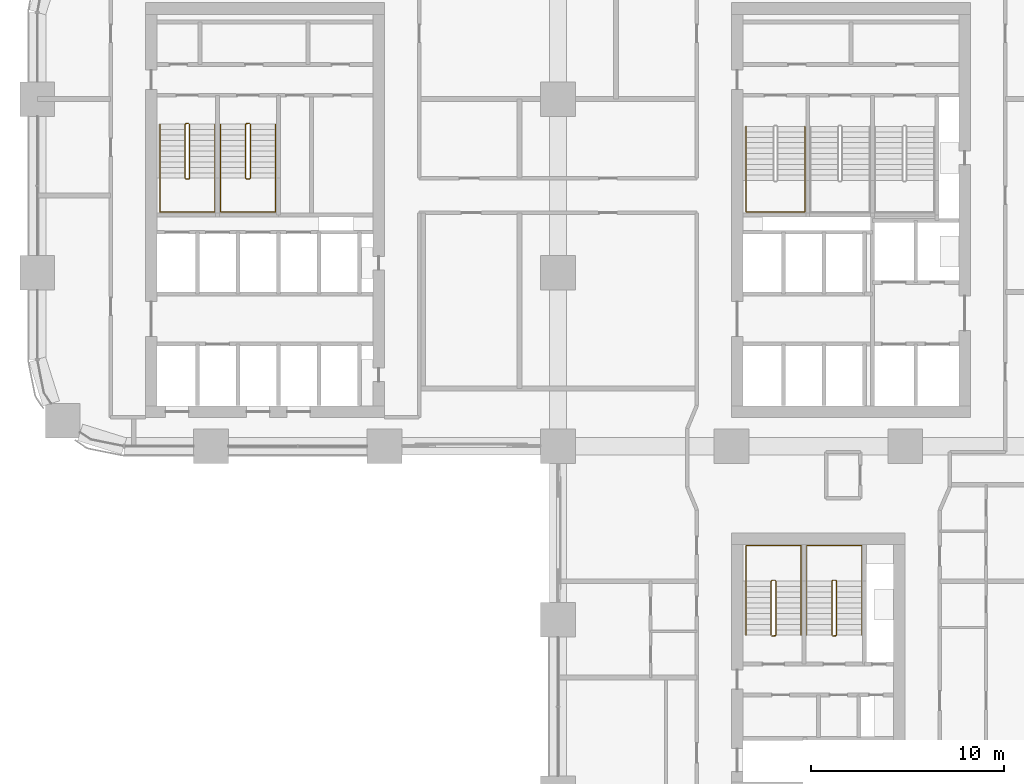
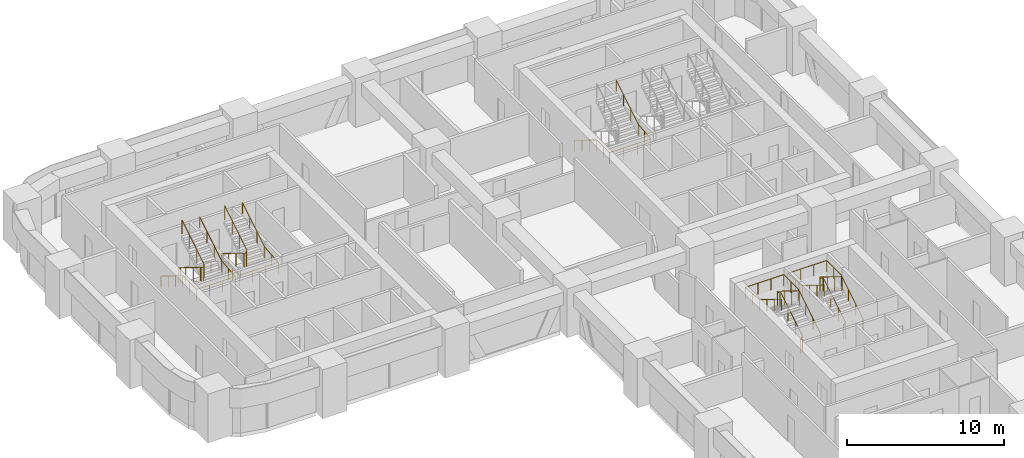
# One storey, part 19 of 20: 9 railings.
"""IFC4 building model written with IfcOpenShell, lengths in metres."""

from ifc_helpers import new_model, si_unit, direction, frame, origin, origin_2d, place, context, subcontext, project, spatial, circle, extrude, material, type_object, element, save


model = new_model("IFC4")

# Units and contexts
model_context = context("Model", 3, precision=1e-05, world=origin(), true_north=direction((0.0, 1.0)))
body_context = subcontext(model_context, "Body", "Model", "MODEL_VIEW")
ifc_project = project(units=[si_unit("LENGTHUNIT", "METRE"), si_unit("AREAUNIT", "SQUARE_METRE"), si_unit("VOLUMEUNIT", "CUBIC_METRE"), si_unit("PLANEANGLEUNIT", "RADIAN"), si_unit("MASSUNIT", "GRAM", prefix="KILO")], contexts=[model_context])

# Site, building, storey
site_placement = place(None, origin())
site = spatial("IfcSite", under=ifc_project, at=site_placement, CompositionType="ELEMENT")
building_placement = place(site_placement, origin())
building = spatial("IfcBuilding", under=site, at=building_placement, Name="Tessera Arch", CompositionType="ELEMENT")
storey_placement = place(building_placement, frame((0.0, 0.0, 119.60009765625)))
storey = spatial("IfcBuildingStorey", under=building, at=storey_placement, Name="L28", CompositionType="ELEMENT", Elevation=119.60009765625)

# Railings
ifc_material_1 = material(Name="Painted steel balustrade", Category="steel")
railing_type_1 = type_object("IfcRailingType", Name="Stair guard 1100", PredefinedType="GUARDRAIL", material=ifc_material_1)
railing_1_placement = place(storey_placement, frame((7.699951171875, 43.75, 0.0)))
element("IfcRailing", 1, at=railing_1_placement, inside=storey, type_object=railing_type_1, Name="L28 S2a stair guard 1", PredefinedType="GUARDRAIL", context=body_context, shape_type="SweptSolid", body=[
    extrude(circle(Radius=0.02392578125, at=origin_2d()), frame((-0.00390625, 0.0, 1.076171875), z_axis=(1.0, 0.0, 0.0), x_axis=(0.0, 1.0, 0.0)), (0.0, 0.0, 1.0), 0.158203125),
    extrude(circle(Radius=0.02392578125, at=origin_2d()), frame((0.153076171875, 0.000732421875, 1.073486328125), z_axis=(-0.744141464035, -0.186035366009, 0.641595140332), x_axis=(0.242535625036, -0.970142500145, 0.0)), (0.0, 0.0, 1.0), 0.277099609375),
    extrude(circle(Radius=0.02392578125, at=origin_2d()), frame((-0.050048828125, -0.046630859375, 1.24658203125), z_axis=(0.0, -0.851089632645, 0.525020415988), x_axis=(1.0, 0.0, 0.0)), (0.0, 0.0, 1.0), 3.2978515625),
    extrude(circle(Radius=0.02392578125, at=origin_2d()), frame((-0.052978515625, -2.84716796875, 2.97607421875), z_axis=(0.708833529934, -0.705375805398, 0.0), x_axis=(0.705375805398, 0.708833529934, 0.0)), (0.0, 0.0, 1.0), 0.07861328125),
    extrude(circle(Radius=0.02392578125, at=origin_2d()), frame((-0.00390625, -2.89990234375, 2.97607421875), z_axis=(1.0, 0.0, 0.0), x_axis=(0.0, 1.0, 0.0)), (0.0, 0.0, 1.0), 0.158203125),
    extrude(circle(Radius=0.02392578125, at=origin_2d()), frame((0.149169921875, -2.90087890625, 2.97216796875), z_axis=(0.26715648603, 0.26715648603, 0.925880566782), x_axis=(-0.707106781187, 0.707106781187, 0.0)), (0.0, 0.0, 1.0), 0.1943359375),
    extrude(circle(Radius=0.02392578125, at=origin_2d()), frame((0.199951171875, -2.853515625, 3.146484375), z_axis=(0.0, 0.851089632645, 0.525020415988), x_axis=(-1.0, 0.0, 0.0)), (0.0, 0.0, 1.0), 3.2978515625),
    extrude(circle(Radius=0.02099609375, at=origin_2d()), origin(), (0.0, 0.0, 1.0), 1.06396484375),
    extrude(circle(Radius=0.02099609375, at=origin_2d()), frame((0.150146484375, 0.0, 0.0)), (0.0, 0.0, 1.0), 1.06396484375),
    extrude(circle(Radius=0.02099609375, at=origin_2d()), frame((-0.050048828125, -0.050048828125, 0.172607421875)), (0.0, 0.0, 1.0), 1.06396484375),
    extrude(circle(Radius=0.02099609375, at=origin_2d()), frame((-0.050048828125, -0.9833984375, 0.748291015625)), (0.0, 0.0, 1.0), 1.06396484375),
    extrude(circle(Radius=0.02099609375, at=origin_2d()), frame((-0.050048828125, -1.916748046875, 1.32421875)), (0.0, 0.0, 1.0), 1.06396484375),
    extrude(circle(Radius=0.02099609375, at=origin_2d()), frame((-0.050048828125, -2.85009765625, 1.89990234375)), (0.0, 0.0, 1.0), 1.06396484375),
    extrude(circle(Radius=0.02099609375, at=origin_2d()), frame((0.0, -2.89990234375, 1.89990234375)), (0.0, 0.0, 1.0), 1.06396484375),
    extrude(circle(Radius=0.02099609375, at=origin_2d()), frame((0.150146484375, -2.89990234375, 1.89990234375)), (0.0, 0.0, 1.0), 1.06396484375),
    extrude(circle(Radius=0.02099609375, at=origin_2d()), frame((0.199951171875, -2.85009765625, 2.072509765625)), (0.0, 0.0, 1.0), 1.06396484375),
    extrude(circle(Radius=0.02099609375, at=origin_2d()), frame((0.199951171875, -1.916748046875, 2.648193359375)), (0.0, 0.0, 1.0), 1.06396484375),
    extrude(circle(Radius=0.02099609375, at=origin_2d()), frame((0.199951171875, -0.9833984375, 3.22412109375)), (0.0, 0.0, 1.0), 1.06396484375),
    extrude(circle(Radius=0.02099609375, at=origin_2d()), frame((0.199951171875, -0.050048828125, 3.7998046875)), (0.0, 0.0, 1.0), 1.06396484375),
])
railing_2_placement = place(storey_placement, frame((10.85009765625, 43.75, 0.0)))
element("IfcRailing", 2, at=railing_2_placement, inside=storey, type_object=railing_type_1, Name="L28 S2b stair guard 1", PredefinedType="GUARDRAIL", context=body_context, shape_type="SweptSolid", body=[
    extrude(circle(Radius=0.02392578125, at=origin_2d()), frame((-0.00390625, 0.0, 1.076171875), z_axis=(1.0, 0.0, 0.0), x_axis=(0.0, 1.0, 0.0)), (0.0, 0.0, 1.0), 0.157958984375),
    extrude(circle(Radius=0.02392578125, at=origin_2d()), frame((0.15283203125, 0.000732421875, 1.073486328125), z_axis=(-0.743736083135, -0.18616104645, 0.642028584587), x_axis=(0.242814311512, -0.970072785993, 0.0)), (0.0, 0.0, 1.0), 0.27685546875),
    extrude(circle(Radius=0.02392578125, at=origin_2d()), frame((-0.050048828125, -0.046630859375, 1.24658203125), z_axis=(0.0, -0.851089632645, 0.525020415988), x_axis=(1.0, 0.0, 0.0)), (0.0, 0.0, 1.0), 3.2978515625),
    extrude(circle(Radius=0.02392578125, at=origin_2d()), frame((-0.052978515625, -2.84716796875, 2.97607421875), z_axis=(0.708833529934, -0.705375805398, 0.0), x_axis=(0.705375805398, 0.708833529934, 0.0)), (0.0, 0.0, 1.0), 0.07861328125),
    extrude(circle(Radius=0.02392578125, at=origin_2d()), frame((-0.00390625, -2.89990234375, 2.97607421875), z_axis=(1.0, 0.0, 0.0), x_axis=(0.0, 1.0, 0.0)), (0.0, 0.0, 1.0), 0.157958984375),
    extrude(circle(Radius=0.02392578125, at=origin_2d()), frame((0.14892578125, -2.90087890625, 2.97216796875), z_axis=(0.268371968888, 0.267062837333, 0.925556009775), x_axis=(-0.705375805398, 0.708833529934, 0.0)), (0.0, 0.0, 1.0), 0.194580078125),
    extrude(circle(Radius=0.02392578125, at=origin_2d()), frame((0.199951171875, -2.853515625, 3.146484375), z_axis=(0.0, 0.851089632645, 0.525020415988), x_axis=(-1.0, 0.0, 0.0)), (0.0, 0.0, 1.0), 3.2978515625),
    extrude(circle(Radius=0.02099609375, at=origin_2d()), origin(), (0.0, 0.0, 1.0), 1.06396484375),
    extrude(circle(Radius=0.02099609375, at=origin_2d()), frame((0.14990234375, 0.0, 0.0)), (0.0, 0.0, 1.0), 1.06396484375),
    extrude(circle(Radius=0.02099609375, at=origin_2d()), frame((-0.050048828125, -0.050048828125, 0.172607421875)), (0.0, 0.0, 1.0), 1.06396484375),
    extrude(circle(Radius=0.02099609375, at=origin_2d()), frame((-0.050048828125, -0.9833984375, 0.748291015625)), (0.0, 0.0, 1.0), 1.06396484375),
    extrude(circle(Radius=0.02099609375, at=origin_2d()), frame((-0.050048828125, -1.916748046875, 1.32421875)), (0.0, 0.0, 1.0), 1.06396484375),
    extrude(circle(Radius=0.02099609375, at=origin_2d()), frame((-0.050048828125, -2.85009765625, 1.89990234375)), (0.0, 0.0, 1.0), 1.06396484375),
    extrude(circle(Radius=0.02099609375, at=origin_2d()), frame((0.0, -2.89990234375, 1.89990234375)), (0.0, 0.0, 1.0), 1.06396484375),
    extrude(circle(Radius=0.02099609375, at=origin_2d()), frame((0.14990234375, -2.89990234375, 1.89990234375)), (0.0, 0.0, 1.0), 1.06396484375),
    extrude(circle(Radius=0.02099609375, at=origin_2d()), frame((0.199951171875, -2.85009765625, 2.072509765625)), (0.0, 0.0, 1.0), 1.06396484375),
    extrude(circle(Radius=0.02099609375, at=origin_2d()), frame((0.199951171875, -1.916748046875, 2.648193359375)), (0.0, 0.0, 1.0), 1.06396484375),
    extrude(circle(Radius=0.02099609375, at=origin_2d()), frame((0.199951171875, -0.9833984375, 3.22412109375)), (0.0, 0.0, 1.0), 1.06396484375),
    extrude(circle(Radius=0.02099609375, at=origin_2d()), frame((0.199951171875, -0.050048828125, 3.7998046875)), (0.0, 0.0, 1.0), 1.06396484375),
])
railing_3_placement = place(storey_placement, frame((38.25, 17.14990234375, 0.0)))
element("IfcRailing", 3, at=railing_3_placement, inside=storey, type_object=railing_type_1, Name="L28 S3a stair guard 1", PredefinedType="GUARDRAIL", context=body_context, shape_type="SweptSolid", body=[
    extrude(circle(Radius=0.02392578125, at=origin_2d()), frame((0.00390625, 0.0, 1.076171875), z_axis=(-1.0, 0.0, 0.0), x_axis=(0.0, -1.0, 0.0)), (0.0, 0.0, 1.0), 0.157958984375),
    extrude(circle(Radius=0.02392578125, at=origin_2d()), frame((-0.15283203125, -0.000732421875, 1.073486328125), z_axis=(0.743736083135, 0.18616104645, 0.642028584587), x_axis=(-0.242814311512, 0.970072785993, 0.0)), (0.0, 0.0, 1.0), 0.27685546875),
    extrude(circle(Radius=0.02392578125, at=origin_2d()), frame((0.050048828125, 0.046630859375, 1.24658203125), z_axis=(0.0, 0.851089632645, 0.525020415988), x_axis=(-1.0, 0.0, 0.0)), (0.0, 0.0, 1.0), 3.2978515625),
    extrude(circle(Radius=0.02392578125, at=origin_2d()), frame((0.052978515625, 2.84716796875, 2.97607421875), z_axis=(-0.707106781187, 0.707106781187, 0.0), x_axis=(-0.707106781187, -0.707106781187, 0.0)), (0.0, 0.0, 1.0), 0.078857421875),
    extrude(circle(Radius=0.02392578125, at=origin_2d()), frame((0.00390625, 2.900146484375, 2.97607421875), z_axis=(-1.0, 0.0, 0.0), x_axis=(0.0, -1.0, 0.0)), (0.0, 0.0, 1.0), 0.157958984375),
    extrude(circle(Radius=0.02392578125, at=origin_2d()), frame((-0.14892578125, 2.901123046875, 2.97216796875), z_axis=(-0.268277960024, -0.268277960024, 0.925231793839), x_axis=(0.707106781187, -0.707106781187, 0.0)), (0.0, 0.0, 1.0), 0.194580078125),
    extrude(circle(Radius=0.02392578125, at=origin_2d()), frame((-0.199951171875, 2.853515625, 3.146484375), z_axis=(0.0, -0.851089632645, 0.525020415988), x_axis=(1.0, 0.0, 0.0)), (0.0, 0.0, 1.0), 3.2978515625),
    extrude(circle(Radius=0.02099609375, at=origin_2d()), origin(), (0.0, 0.0, 1.0), 1.06396484375),
    extrude(circle(Radius=0.02099609375, at=origin_2d()), frame((-0.14990234375, 0.0, 0.0)), (0.0, 0.0, 1.0), 1.06396484375),
    extrude(circle(Radius=0.02099609375, at=origin_2d()), frame((0.050048828125, 0.050048828125, 0.172607421875)), (0.0, 0.0, 1.0), 1.06396484375),
    extrude(circle(Radius=0.02099609375, at=origin_2d()), frame((0.050048828125, 0.9833984375, 0.748291015625)), (0.0, 0.0, 1.0), 1.06396484375),
    extrude(circle(Radius=0.02099609375, at=origin_2d()), frame((0.050048828125, 1.916748046875, 1.32421875)), (0.0, 0.0, 1.0), 1.06396484375),
    extrude(circle(Radius=0.02099609375, at=origin_2d()), frame((0.050048828125, 2.85009765625, 1.89990234375)), (0.0, 0.0, 1.0), 1.06396484375),
    extrude(circle(Radius=0.02099609375, at=origin_2d()), frame((0.0, 2.900146484375, 1.89990234375)), (0.0, 0.0, 1.0), 1.06396484375),
    extrude(circle(Radius=0.02099609375, at=origin_2d()), frame((-0.14990234375, 2.900146484375, 1.89990234375)), (0.0, 0.0, 1.0), 1.06396484375),
    extrude(circle(Radius=0.02099609375, at=origin_2d()), frame((-0.199951171875, 2.85009765625, 2.072509765625)), (0.0, 0.0, 1.0), 1.06396484375),
    extrude(circle(Radius=0.02099609375, at=origin_2d()), frame((-0.199951171875, 1.916748046875, 2.648193359375)), (0.0, 0.0, 1.0), 1.06396484375),
    extrude(circle(Radius=0.02099609375, at=origin_2d()), frame((-0.199951171875, 0.9833984375, 3.22412109375)), (0.0, 0.0, 1.0), 1.06396484375),
    extrude(circle(Radius=0.02099609375, at=origin_2d()), frame((-0.199951171875, 0.050048828125, 3.7998046875)), (0.0, 0.0, 1.0), 1.06396484375),
])
railing_4_placement = place(storey_placement, frame((41.39990234375, 17.14990234375, 0.0)))
element("IfcRailing", 4, at=railing_4_placement, inside=storey, type_object=railing_type_1, Name="L28 S3b stair guard 1", PredefinedType="GUARDRAIL", context=body_context, shape_type="SweptSolid", body=[
    extrude(circle(Radius=0.02392578125, at=origin_2d()), frame((0.00390625, 0.0, 1.076171875), z_axis=(-1.0, 0.0, 0.0), x_axis=(0.0, -1.0, 0.0)), (0.0, 0.0, 1.0), 0.157958984375),
    extrude(circle(Radius=0.02392578125, at=origin_2d()), frame((-0.15283203125, -0.000732421875, 1.073486328125), z_axis=(0.743736083135, 0.18616104645, 0.642028584587), x_axis=(-0.242814311512, 0.970072785993, 0.0)), (0.0, 0.0, 1.0), 0.27685546875),
    extrude(circle(Radius=0.02392578125, at=origin_2d()), frame((0.050048828125, 0.046630859375, 1.24658203125), z_axis=(0.0, 0.851089632645, 0.525020415988), x_axis=(-1.0, 0.0, 0.0)), (0.0, 0.0, 1.0), 3.2978515625),
    extrude(circle(Radius=0.02392578125, at=origin_2d()), frame((0.052978515625, 2.84716796875, 2.97607421875), z_axis=(-0.707106781187, 0.707106781187, 0.0), x_axis=(-0.707106781187, -0.707106781187, 0.0)), (0.0, 0.0, 1.0), 0.078857421875),
    extrude(circle(Radius=0.02392578125, at=origin_2d()), frame((0.00390625, 2.900146484375, 2.97607421875), z_axis=(-1.0, 0.0, 0.0), x_axis=(0.0, -1.0, 0.0)), (0.0, 0.0, 1.0), 0.157958984375),
    extrude(circle(Radius=0.02392578125, at=origin_2d()), frame((-0.14892578125, 2.901123046875, 2.97216796875), z_axis=(-0.268277960024, -0.268277960024, 0.925231793839), x_axis=(0.707106781187, -0.707106781187, 0.0)), (0.0, 0.0, 1.0), 0.194580078125),
    extrude(circle(Radius=0.02392578125, at=origin_2d()), frame((-0.199951171875, 2.853515625, 3.146484375), z_axis=(0.0, -0.851089632645, 0.525020415988), x_axis=(1.0, 0.0, 0.0)), (0.0, 0.0, 1.0), 3.2978515625),
    extrude(circle(Radius=0.02099609375, at=origin_2d()), origin(), (0.0, 0.0, 1.0), 1.06396484375),
    extrude(circle(Radius=0.02099609375, at=origin_2d()), frame((-0.14990234375, 0.0, 0.0)), (0.0, 0.0, 1.0), 1.06396484375),
    extrude(circle(Radius=0.02099609375, at=origin_2d()), frame((0.050048828125, 0.050048828125, 0.172607421875)), (0.0, 0.0, 1.0), 1.06396484375),
    extrude(circle(Radius=0.02099609375, at=origin_2d()), frame((0.050048828125, 0.9833984375, 0.748291015625)), (0.0, 0.0, 1.0), 1.06396484375),
    extrude(circle(Radius=0.02099609375, at=origin_2d()), frame((0.050048828125, 1.916748046875, 1.32421875)), (0.0, 0.0, 1.0), 1.06396484375),
    extrude(circle(Radius=0.02099609375, at=origin_2d()), frame((0.050048828125, 2.85009765625, 1.89990234375)), (0.0, 0.0, 1.0), 1.06396484375),
    extrude(circle(Radius=0.02099609375, at=origin_2d()), frame((0.0, 2.900146484375, 1.89990234375)), (0.0, 0.0, 1.0), 1.06396484375),
    extrude(circle(Radius=0.02099609375, at=origin_2d()), frame((-0.14990234375, 2.900146484375, 1.89990234375)), (0.0, 0.0, 1.0), 1.06396484375),
    extrude(circle(Radius=0.02099609375, at=origin_2d()), frame((-0.199951171875, 2.85009765625, 2.072509765625)), (0.0, 0.0, 1.0), 1.06396484375),
    extrude(circle(Radius=0.02099609375, at=origin_2d()), frame((-0.199951171875, 1.916748046875, 2.648193359375)), (0.0, 0.0, 1.0), 1.06396484375),
    extrude(circle(Radius=0.02099609375, at=origin_2d()), frame((-0.199951171875, 0.9833984375, 3.22412109375)), (0.0, 0.0, 1.0), 1.06396484375),
    extrude(circle(Radius=0.02099609375, at=origin_2d()), frame((-0.199951171875, 0.050048828125, 3.7998046875)), (0.0, 0.0, 1.0), 1.06396484375),
])
ifc_material_2 = material(Name="Painted steel handrail", Category="steel")
railing_type_2 = type_object("IfcRailingType", Name="Stair handrail 900", PredefinedType="HANDRAIL", material=ifc_material_2)
railing_5_placement = place(storey_placement, frame((36.75, 43.580078125, 0.172607421875)))
element("IfcRailing", 5, at=railing_5_placement, inside=storey, type_object=railing_type_2, Name="L28 S1a stair handrail", PredefinedType="HANDRAIL", context=body_context, shape_type="SweptSolid", body=[
    extrude(circle(Radius=0.02392578125, at=origin_2d()), frame((0.0, 0.00341796875, 0.873779296875), z_axis=(0.0, -0.851089632645, 0.525020415988), x_axis=(1.0, 0.0, 0.0)), (0.0, 0.0, 1.0), 3.2978515625),
    extrude(circle(Radius=0.02392578125, at=origin_2d()), frame((0.0, -2.796142578125, 2.60302734375), z_axis=(0.0, -1.0, 0.0), x_axis=(1.0, 0.0, 0.0)), (0.0, 0.0, 1.0), 1.63818359375),
    extrude(circle(Radius=0.02392578125, at=origin_2d()), frame((-0.00390625, -4.43017578125, 2.60302734375), z_axis=(1.0, 0.0, 0.0), x_axis=(0.0, 1.0, 0.0)), (0.0, 0.0, 1.0), 3.05810546875),
    extrude(circle(Radius=0.02392578125, at=origin_2d()), frame((3.050048828125, -4.43408203125, 2.602783203125), z_axis=(0.0, 0.994440793715, 0.105297235459), x_axis=(-1.0, 0.0, 0.0)), (0.0, 0.0, 1.0), 1.647216796875),
    extrude(circle(Radius=0.02392578125, at=origin_2d()), frame((3.050048828125, -2.803466796875, 2.773681640625), z_axis=(0.0, 0.851089632645, 0.525020415988), x_axis=(-1.0, 0.0, 0.0)), (0.0, 0.0, 1.0), 3.2978515625),
    extrude(circle(Radius=0.02099609375, at=origin_2d()), origin(), (0.0, 0.0, 1.0), 0.86376953125),
    extrude(circle(Radius=0.02099609375, at=origin_2d()), frame((0.0, -0.933349609375, 0.57568359375)), (0.0, 0.0, 1.0), 0.86376953125),
    extrude(circle(Radius=0.02099609375, at=origin_2d()), frame((0.0, -1.86669921875, 1.151611328125)), (0.0, 0.0, 1.0), 0.86376953125),
    extrude(circle(Radius=0.02099609375, at=origin_2d()), frame((0.0, -2.800048828125, 1.727294921875)), (0.0, 0.0, 1.0), 0.86376953125),
    extrude(circle(Radius=0.02099609375, at=origin_2d()), frame((0.0, -3.615234375, 1.727294921875)), (0.0, 0.0, 1.0), 0.86376953125),
    extrude(circle(Radius=0.02099609375, at=origin_2d()), frame((0.0, -4.43017578125, 1.727294921875)), (0.0, 0.0, 1.0), 0.86376953125),
    extrude(circle(Radius=0.02099609375, at=origin_2d()), frame((1.0166015625, -4.43017578125, 1.727294921875)), (0.0, 0.0, 1.0), 0.86376953125),
    extrude(circle(Radius=0.02099609375, at=origin_2d()), frame((2.033447265625, -4.43017578125, 1.727294921875)), (0.0, 0.0, 1.0), 0.86376953125),
    extrude(circle(Radius=0.02099609375, at=origin_2d()), frame((3.050048828125, -4.43017578125, 1.727294921875)), (0.0, 0.0, 1.0), 0.86376953125),
    extrude(circle(Radius=0.02099609375, at=origin_2d()), frame((3.050048828125, -3.615234375, 1.8134765625)), (0.0, 0.0, 1.0), 0.86376953125),
    extrude(circle(Radius=0.02099609375, at=origin_2d()), frame((3.050048828125, -2.800048828125, 1.89990234375)), (0.0, 0.0, 1.0), 0.86376953125),
    extrude(circle(Radius=0.02099609375, at=origin_2d()), frame((3.050048828125, -1.86669921875, 2.4755859375)), (0.0, 0.0, 1.0), 0.86376953125),
    extrude(circle(Radius=0.02099609375, at=origin_2d()), frame((3.050048828125, -0.933349609375, 3.051513671875)), (0.0, 0.0, 1.0), 0.86376953125),
    extrude(circle(Radius=0.02099609375, at=origin_2d()), frame((3.050048828125, 0.0, 3.627197265625)), (0.0, 0.0, 1.0), 0.86376953125),
])
railing_6_placement = place(storey_placement, frame((6.35009765625, 43.699951171875, 0.172607421875)))
element("IfcRailing", 6, at=railing_6_placement, inside=storey, type_object=railing_type_2, Name="L28 S2a stair handrail", PredefinedType="HANDRAIL", context=body_context, shape_type="SweptSolid", body=[
    extrude(circle(Radius=0.02392578125, at=origin_2d()), frame((0.0, 0.00341796875, 0.873779296875), z_axis=(0.0, -0.851089632645, 0.525020415988), x_axis=(1.0, 0.0, 0.0)), (0.0, 0.0, 1.0), 3.2978515625),
    extrude(circle(Radius=0.02392578125, at=origin_2d()), frame((0.0, -2.796142578125, 2.60302734375), z_axis=(0.0, -1.0, 0.0), x_axis=(1.0, 0.0, 0.0)), (0.0, 0.0, 1.0), 1.758056640625),
    extrude(circle(Radius=0.02392578125, at=origin_2d()), frame((-0.00390625, -4.550048828125, 2.60302734375), z_axis=(1.0, 0.0, 0.0), x_axis=(0.0, 1.0, 0.0)), (0.0, 0.0, 1.0), 2.85791015625),
    extrude(circle(Radius=0.02392578125, at=origin_2d()), frame((2.849853515625, -4.553955078125, 2.602783203125), z_axis=(0.0, 0.995170989745, 0.098156513637), x_axis=(-1.0, 0.0, 0.0)), (0.0, 0.0, 1.0), 1.7666015625),
    extrude(circle(Radius=0.02392578125, at=origin_2d()), frame((2.849853515625, -2.803466796875, 2.773681640625), z_axis=(0.0, 0.851089632645, 0.525020415988), x_axis=(-1.0, 0.0, 0.0)), (0.0, 0.0, 1.0), 3.2978515625),
    extrude(circle(Radius=0.02099609375, at=origin_2d()), origin(), (0.0, 0.0, 1.0), 0.86376953125),
    extrude(circle(Radius=0.02099609375, at=origin_2d()), frame((0.0, -0.933349609375, 0.57568359375)), (0.0, 0.0, 1.0), 0.86376953125),
    extrude(circle(Radius=0.02099609375, at=origin_2d()), frame((0.0, -1.86669921875, 1.151611328125)), (0.0, 0.0, 1.0), 0.86376953125),
    extrude(circle(Radius=0.02099609375, at=origin_2d()), frame((0.0, -2.800048828125, 1.727294921875)), (0.0, 0.0, 1.0), 0.86376953125),
    extrude(circle(Radius=0.02099609375, at=origin_2d()), frame((0.0, -3.675048828125, 1.727294921875)), (0.0, 0.0, 1.0), 0.86376953125),
    extrude(circle(Radius=0.02099609375, at=origin_2d()), frame((0.0, -4.550048828125, 1.727294921875)), (0.0, 0.0, 1.0), 0.86376953125),
    extrude(circle(Radius=0.02099609375, at=origin_2d()), frame((0.949951171875, -4.550048828125, 1.727294921875)), (0.0, 0.0, 1.0), 0.86376953125),
    extrude(circle(Radius=0.02099609375, at=origin_2d()), frame((1.89990234375, -4.550048828125, 1.727294921875)), (0.0, 0.0, 1.0), 0.86376953125),
    extrude(circle(Radius=0.02099609375, at=origin_2d()), frame((2.849853515625, -4.550048828125, 1.727294921875)), (0.0, 0.0, 1.0), 0.86376953125),
    extrude(circle(Radius=0.02099609375, at=origin_2d()), frame((2.849853515625, -3.675048828125, 1.8134765625)), (0.0, 0.0, 1.0), 0.86376953125),
    extrude(circle(Radius=0.02099609375, at=origin_2d()), frame((2.849853515625, -2.800048828125, 1.89990234375)), (0.0, 0.0, 1.0), 0.86376953125),
    extrude(circle(Radius=0.02099609375, at=origin_2d()), frame((2.849853515625, -1.86669921875, 2.4755859375)), (0.0, 0.0, 1.0), 0.86376953125),
    extrude(circle(Radius=0.02099609375, at=origin_2d()), frame((2.849853515625, -0.933349609375, 3.051513671875)), (0.0, 0.0, 1.0), 0.86376953125),
    extrude(circle(Radius=0.02099609375, at=origin_2d()), frame((2.849853515625, 0.0, 3.627197265625)), (0.0, 0.0, 1.0), 0.86376953125),
])
railing_7_placement = place(storey_placement, frame((9.5, 43.699951171875, 0.172607421875)))
element("IfcRailing", 7, at=railing_7_placement, inside=storey, type_object=railing_type_2, Name="L28 S2b stair handrail", PredefinedType="HANDRAIL", context=body_context, shape_type="SweptSolid", body=[
    extrude(circle(Radius=0.02392578125, at=origin_2d()), frame((0.0, 0.00341796875, 0.873779296875), z_axis=(0.0, -0.851089632645, 0.525020415988), x_axis=(1.0, 0.0, 0.0)), (0.0, 0.0, 1.0), 3.2978515625),
    extrude(circle(Radius=0.02392578125, at=origin_2d()), frame((0.0, -2.796142578125, 2.60302734375), z_axis=(0.0, -1.0, 0.0), x_axis=(1.0, 0.0, 0.0)), (0.0, 0.0, 1.0), 1.758056640625),
    extrude(circle(Radius=0.02392578125, at=origin_2d()), frame((-0.00390625, -4.550048828125, 2.60302734375), z_axis=(1.0, 0.0, 0.0), x_axis=(0.0, 1.0, 0.0)), (0.0, 0.0, 1.0), 2.858154296875),
    extrude(circle(Radius=0.02392578125, at=origin_2d()), frame((2.85009765625, -4.553955078125, 2.602783203125), z_axis=(0.0, 0.995170989745, 0.098156513637), x_axis=(-1.0, 0.0, 0.0)), (0.0, 0.0, 1.0), 1.7666015625),
    extrude(circle(Radius=0.02392578125, at=origin_2d()), frame((2.85009765625, -2.803466796875, 2.773681640625), z_axis=(0.0, 0.851089632645, 0.525020415988), x_axis=(-1.0, 0.0, 0.0)), (0.0, 0.0, 1.0), 3.2978515625),
    extrude(circle(Radius=0.02099609375, at=origin_2d()), origin(), (0.0, 0.0, 1.0), 0.86376953125),
    extrude(circle(Radius=0.02099609375, at=origin_2d()), frame((0.0, -0.933349609375, 0.57568359375)), (0.0, 0.0, 1.0), 0.86376953125),
    extrude(circle(Radius=0.02099609375, at=origin_2d()), frame((0.0, -1.86669921875, 1.151611328125)), (0.0, 0.0, 1.0), 0.86376953125),
    extrude(circle(Radius=0.02099609375, at=origin_2d()), frame((0.0, -2.800048828125, 1.727294921875)), (0.0, 0.0, 1.0), 0.86376953125),
    extrude(circle(Radius=0.02099609375, at=origin_2d()), frame((0.0, -3.675048828125, 1.727294921875)), (0.0, 0.0, 1.0), 0.86376953125),
    extrude(circle(Radius=0.02099609375, at=origin_2d()), frame((0.0, -4.550048828125, 1.727294921875)), (0.0, 0.0, 1.0), 0.86376953125),
    extrude(circle(Radius=0.02099609375, at=origin_2d()), frame((0.949951171875, -4.550048828125, 1.727294921875)), (0.0, 0.0, 1.0), 0.86376953125),
    extrude(circle(Radius=0.02099609375, at=origin_2d()), frame((1.900146484375, -4.550048828125, 1.727294921875)), (0.0, 0.0, 1.0), 0.86376953125),
    extrude(circle(Radius=0.02099609375, at=origin_2d()), frame((2.85009765625, -4.550048828125, 1.727294921875)), (0.0, 0.0, 1.0), 0.86376953125),
    extrude(circle(Radius=0.02099609375, at=origin_2d()), frame((2.85009765625, -3.675048828125, 1.8134765625)), (0.0, 0.0, 1.0), 0.86376953125),
    extrude(circle(Radius=0.02099609375, at=origin_2d()), frame((2.85009765625, -2.800048828125, 1.89990234375)), (0.0, 0.0, 1.0), 0.86376953125),
    extrude(circle(Radius=0.02099609375, at=origin_2d()), frame((2.85009765625, -1.86669921875, 2.4755859375)), (0.0, 0.0, 1.0), 0.86376953125),
    extrude(circle(Radius=0.02099609375, at=origin_2d()), frame((2.85009765625, -0.933349609375, 3.051513671875)), (0.0, 0.0, 1.0), 0.86376953125),
    extrude(circle(Radius=0.02099609375, at=origin_2d()), frame((2.85009765625, 0.0, 3.627197265625)), (0.0, 0.0, 1.0), 0.86376953125),
])
railing_8_placement = place(storey_placement, frame((39.60009765625, 17.199951171875, 0.172607421875)))
element("IfcRailing", 8, at=railing_8_placement, inside=storey, type_object=railing_type_2, Name="L28 S3a stair handrail", PredefinedType="HANDRAIL", context=body_context, shape_type="SweptSolid", body=[
    extrude(circle(Radius=0.02392578125, at=origin_2d()), frame((0.0, -0.00341796875, 0.873779296875), z_axis=(0.0, 0.851089632645, 0.525020415988), x_axis=(-1.0, 0.0, 0.0)), (0.0, 0.0, 1.0), 3.2978515625),
    extrude(circle(Radius=0.02392578125, at=origin_2d()), frame((0.0, 2.796142578125, 2.60302734375), z_axis=(0.0, 1.0, 0.0), x_axis=(-1.0, 0.0, 0.0)), (0.0, 0.0, 1.0), 1.858154296875),
    extrude(circle(Radius=0.02392578125, at=origin_2d()), frame((0.00390625, 4.650146484375, 2.60302734375), z_axis=(-1.0, 0.0, 0.0), x_axis=(0.0, -1.0, 0.0)), (0.0, 0.0, 1.0), 2.858154296875),
    extrude(circle(Radius=0.02392578125, at=origin_2d()), frame((-2.85009765625, 4.654052734375, 2.602783203125), z_axis=(0.0, -0.995676099079, 0.092892979948), x_axis=(1.0, 0.0, 0.0)), (0.0, 0.0, 1.0), 1.8662109375),
    extrude(circle(Radius=0.02392578125, at=origin_2d()), frame((-2.85009765625, 2.803466796875, 2.773681640625), z_axis=(0.0, -0.851089632645, 0.525020415988), x_axis=(1.0, 0.0, 0.0)), (0.0, 0.0, 1.0), 3.2978515625),
    extrude(circle(Radius=0.02099609375, at=origin_2d()), origin(), (0.0, 0.0, 1.0), 0.86376953125),
    extrude(circle(Radius=0.02099609375, at=origin_2d()), frame((0.0, 0.933349609375, 0.57568359375)), (0.0, 0.0, 1.0), 0.86376953125),
    extrude(circle(Radius=0.02099609375, at=origin_2d()), frame((0.0, 1.86669921875, 1.151611328125)), (0.0, 0.0, 1.0), 0.86376953125),
    extrude(circle(Radius=0.02099609375, at=origin_2d()), frame((0.0, 2.800048828125, 1.727294921875)), (0.0, 0.0, 1.0), 0.86376953125),
    extrude(circle(Radius=0.02099609375, at=origin_2d()), frame((0.0, 3.72509765625, 1.727294921875)), (0.0, 0.0, 1.0), 0.86376953125),
    extrude(circle(Radius=0.02099609375, at=origin_2d()), frame((0.0, 4.650146484375, 1.727294921875)), (0.0, 0.0, 1.0), 0.86376953125),
    extrude(circle(Radius=0.02099609375, at=origin_2d()), frame((-0.949951171875, 4.650146484375, 1.727294921875)), (0.0, 0.0, 1.0), 0.86376953125),
    extrude(circle(Radius=0.02099609375, at=origin_2d()), frame((-1.900146484375, 4.650146484375, 1.727294921875)), (0.0, 0.0, 1.0), 0.86376953125),
    extrude(circle(Radius=0.02099609375, at=origin_2d()), frame((-2.85009765625, 4.650146484375, 1.727294921875)), (0.0, 0.0, 1.0), 0.86376953125),
    extrude(circle(Radius=0.02099609375, at=origin_2d()), frame((-2.85009765625, 3.72509765625, 1.8134765625)), (0.0, 0.0, 1.0), 0.86376953125),
    extrude(circle(Radius=0.02099609375, at=origin_2d()), frame((-2.85009765625, 2.800048828125, 1.89990234375)), (0.0, 0.0, 1.0), 0.86376953125),
    extrude(circle(Radius=0.02099609375, at=origin_2d()), frame((-2.85009765625, 1.86669921875, 2.4755859375)), (0.0, 0.0, 1.0), 0.86376953125),
    extrude(circle(Radius=0.02099609375, at=origin_2d()), frame((-2.85009765625, 0.933349609375, 3.051513671875)), (0.0, 0.0, 1.0), 0.86376953125),
    extrude(circle(Radius=0.02099609375, at=origin_2d()), frame((-2.85009765625, 0.0, 3.627197265625)), (0.0, 0.0, 1.0), 0.86376953125),
])
railing_9_placement = place(storey_placement, frame((42.75, 17.199951171875, 0.172607421875)))
element("IfcRailing", 9, at=railing_9_placement, inside=storey, type_object=railing_type_2, Name="L28 S3b stair handrail", PredefinedType="HANDRAIL", context=body_context, shape_type="SweptSolid", body=[
    extrude(circle(Radius=0.02392578125, at=origin_2d()), frame((0.0, -0.00341796875, 0.873779296875), z_axis=(0.0, 0.851089632645, 0.525020415988), x_axis=(-1.0, 0.0, 0.0)), (0.0, 0.0, 1.0), 3.2978515625),
    extrude(circle(Radius=0.02392578125, at=origin_2d()), frame((0.0, 2.796142578125, 2.60302734375), z_axis=(0.0, 1.0, 0.0), x_axis=(-1.0, 0.0, 0.0)), (0.0, 0.0, 1.0), 1.858154296875),
    extrude(circle(Radius=0.02392578125, at=origin_2d()), frame((0.00390625, 4.650146484375, 2.60302734375), z_axis=(-1.0, 0.0, 0.0), x_axis=(0.0, -1.0, 0.0)), (0.0, 0.0, 1.0), 2.858154296875),
    extrude(circle(Radius=0.02392578125, at=origin_2d()), frame((-2.85009765625, 4.654052734375, 2.602783203125), z_axis=(0.0, -0.995676099079, 0.092892979948), x_axis=(1.0, 0.0, 0.0)), (0.0, 0.0, 1.0), 1.8662109375),
    extrude(circle(Radius=0.02392578125, at=origin_2d()), frame((-2.85009765625, 2.803466796875, 2.773681640625), z_axis=(0.0, -0.851089632645, 0.525020415988), x_axis=(1.0, 0.0, 0.0)), (0.0, 0.0, 1.0), 3.2978515625),
    extrude(circle(Radius=0.02099609375, at=origin_2d()), origin(), (0.0, 0.0, 1.0), 0.86376953125),
    extrude(circle(Radius=0.02099609375, at=origin_2d()), frame((0.0, 0.933349609375, 0.57568359375)), (0.0, 0.0, 1.0), 0.86376953125),
    extrude(circle(Radius=0.02099609375, at=origin_2d()), frame((0.0, 1.86669921875, 1.151611328125)), (0.0, 0.0, 1.0), 0.86376953125),
    extrude(circle(Radius=0.02099609375, at=origin_2d()), frame((0.0, 2.800048828125, 1.727294921875)), (0.0, 0.0, 1.0), 0.86376953125),
    extrude(circle(Radius=0.02099609375, at=origin_2d()), frame((0.0, 3.72509765625, 1.727294921875)), (0.0, 0.0, 1.0), 0.86376953125),
    extrude(circle(Radius=0.02099609375, at=origin_2d()), frame((0.0, 4.650146484375, 1.727294921875)), (0.0, 0.0, 1.0), 0.86376953125),
    extrude(circle(Radius=0.02099609375, at=origin_2d()), frame((-0.949951171875, 4.650146484375, 1.727294921875)), (0.0, 0.0, 1.0), 0.86376953125),
    extrude(circle(Radius=0.02099609375, at=origin_2d()), frame((-1.900146484375, 4.650146484375, 1.727294921875)), (0.0, 0.0, 1.0), 0.86376953125),
    extrude(circle(Radius=0.02099609375, at=origin_2d()), frame((-2.85009765625, 4.650146484375, 1.727294921875)), (0.0, 0.0, 1.0), 0.86376953125),
    extrude(circle(Radius=0.02099609375, at=origin_2d()), frame((-2.85009765625, 3.72509765625, 1.8134765625)), (0.0, 0.0, 1.0), 0.86376953125),
    extrude(circle(Radius=0.02099609375, at=origin_2d()), frame((-2.85009765625, 2.800048828125, 1.89990234375)), (0.0, 0.0, 1.0), 0.86376953125),
    extrude(circle(Radius=0.02099609375, at=origin_2d()), frame((-2.85009765625, 1.86669921875, 2.4755859375)), (0.0, 0.0, 1.0), 0.86376953125),
    extrude(circle(Radius=0.02099609375, at=origin_2d()), frame((-2.85009765625, 0.933349609375, 3.051513671875)), (0.0, 0.0, 1.0), 0.86376953125),
    extrude(circle(Radius=0.02099609375, at=origin_2d()), frame((-2.85009765625, 0.0, 3.627197265625)), (0.0, 0.0, 1.0), 0.86376953125),
])

save(model, "model.ifc")
